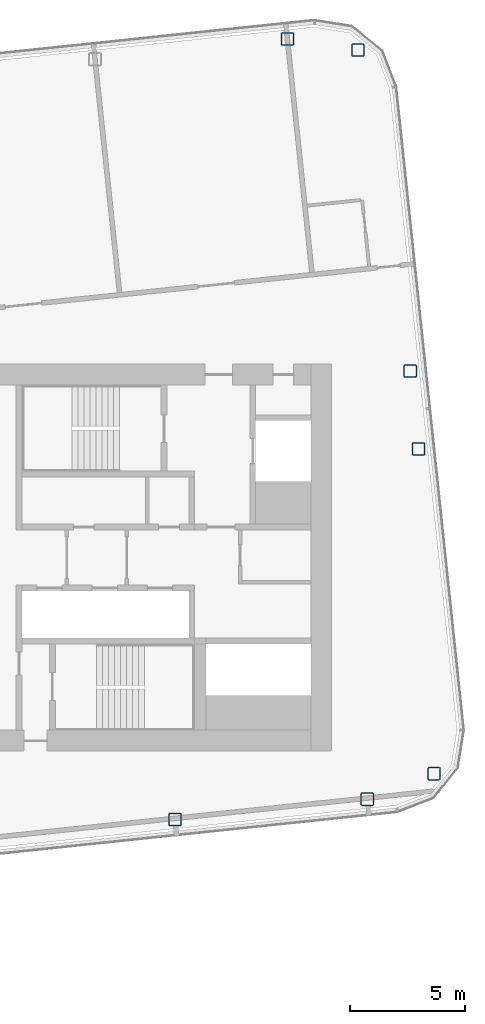
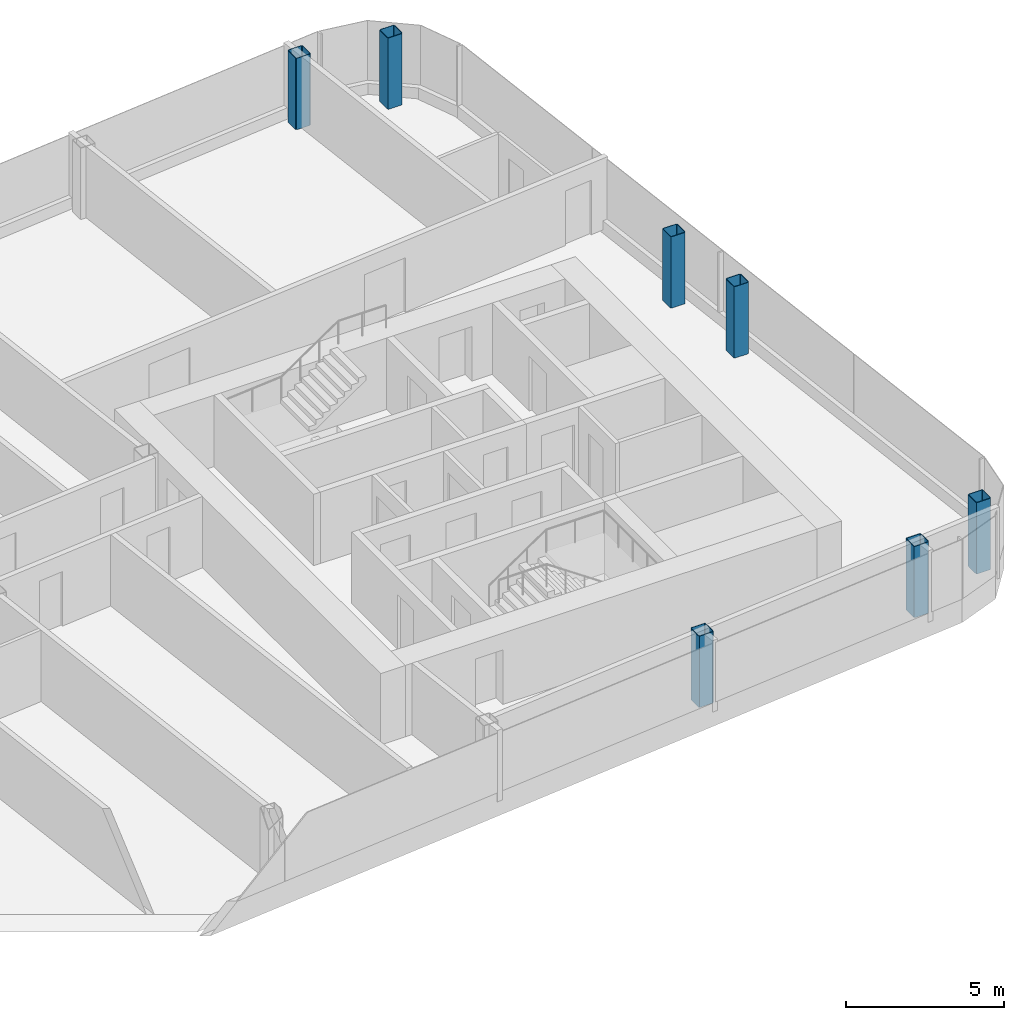
# One storey, part 2 of 27: 7 columns.
"""IFC4 building model written with IfcOpenShell, lengths in metres."""

import ifcopenshell
import ifcopenshell.guid

model = None  # the IFC model being written
_history = None  # IfcOwnerHistory: only IFC2X3 demands one
_inside = {}  # id of a spatial element -> (the spatial element, [elements in it])
_under = {}  # id of a project, library or spatial element -> (it, [spatial elements below it])
_declared = {}  # id of a project -> (the project, [libraries it declares])
_typed = {}  # id of a type object -> (the type object, [elements of that type])
_made_of = {}  # id of a material, layer set ... -> (it, [elements and type objects made of it])


def new_model(schema):
    """Start an empty IFC model of exactly this schema.

    Asked for "IFC4X3", IfcOpenShell would pick the latest addendum, in which some entities
    have other attributes; the version numbers below select the first issue.
    IFC2X3 requires an IfcOwnerHistory on every rooted entity: one is made here for all.
    """
    global model, _history
    if schema == "IFC4X3":
        model = ifcopenshell.file(schema_version=(4, 3, 0, 0))
    else:
        model = ifcopenshell.file(schema=schema)
    _inside.clear()
    _under.clear()
    _declared.clear()
    _typed.clear()
    _made_of.clear()
    _history = None
    if model.schema == "IFC2X3":
        org = make("IfcOrganization", Name="unknown")
        user = make(
            "IfcPersonAndOrganization",
            ThePerson=make("IfcPerson", FamilyName="unknown"),
            TheOrganization=org,
        )
        app = make(
            "IfcApplication",
            ApplicationDeveloper=org,
            Version="unknown",
            ApplicationFullName="unknown",
            ApplicationIdentifier="unknown",
        )
        _history = make(
            "IfcOwnerHistory",
            OwningUser=user,
            OwningApplication=app,
            ChangeAction="ADDED",
            CreationDate=0,
        )
    return model


def make(cls, **values):
    """One entity of the class cls with the attributes given. An attribute that is None is left unset."""
    return model.create_entity(
        cls, **{name: value for name, value in values.items() if value is not None}
    )


def rooted(cls, **values):
    """An entity with a GlobalId (a new one), such as an element, a storey or a relation."""
    return make(cls, GlobalId=ifcopenshell.guid.new(), OwnerHistory=_history, **values)


def si_unit(unit_type, name, prefix=None):
    """IfcSIUnit, for example si_unit("LENGTHUNIT", "METRE", prefix="MILLI")."""
    return make("IfcSIUnit", UnitType=unit_type, Prefix=prefix, Name=name)


def assignment(units):
    """IfcUnitAssignment: the units of a project."""
    return None if units is None else make("IfcUnitAssignment", Units=units)


def point(xyz):
    """IfcCartesianPoint."""
    return None if xyz is None else make("IfcCartesianPoint", Coordinates=xyz)


def direction(xyz):
    """IfcDirection."""
    return None if xyz is None else make("IfcDirection", DirectionRatios=xyz)


def frame(location, z_axis=None, x_axis=None):
    """IfcAxis2Placement3D, a coordinate frame: its origin and axes. An axis left out is left unset."""
    return make(
        "IfcAxis2Placement3D",
        Location=point(location),
        Axis=direction(z_axis),
        RefDirection=direction(x_axis),
    )


def frame_2d(location, x_axis=None):
    """IfcAxis2Placement2D, a coordinate frame in the plane: its origin and x axis."""
    return make(
        "IfcAxis2Placement2D", Location=point(location), RefDirection=direction(x_axis)
    )


def origin():
    """The frame at (0, 0, 0) with its axes left unset."""
    return frame((0.0, 0.0, 0.0))


def origin_2d():
    """The frame at (0, 0) in the plane with its x axis left unset."""
    return frame_2d((0.0, 0.0))


def place(relative_to, where):
    """IfcLocalPlacement: puts the frame where relative to a parent placement (None: the world)."""
    return make(
        "IfcLocalPlacement", PlacementRelTo=relative_to, RelativePlacement=where
    )


def context(
    kind, dimensions, precision=None, world=None, true_north=None, identifier=None
):
    """IfcGeometricRepresentationContext, for example the 3D "Model" context."""
    return make(
        "IfcGeometricRepresentationContext",
        ContextIdentifier=identifier,
        ContextType=kind,
        CoordinateSpaceDimension=dimensions,
        Precision=precision,
        WorldCoordinateSystem=world,
        TrueNorth=true_north,
    )


def subcontext(parent, identifier, kind, view, scale=None):
    """IfcGeometricRepresentationSubContext, for example "Body" below "Model"."""
    return make(
        "IfcGeometricRepresentationSubContext",
        ContextIdentifier=identifier,
        ContextType=kind,
        ParentContext=parent,
        TargetScale=scale,
        TargetView=view,
    )


def project(units=None, contexts=None):
    """IfcProject with its units and contexts."""
    return rooted(
        "IfcProject",
        Name="project",
        RepresentationContexts=contexts,
        UnitsInContext=assignment(units),
    )


def spatial(cls, under=None, at=None, **own):
    """A site, building, storey or space (cls), placed at a placement, below another one or the project."""
    s = rooted(cls, ObjectPlacement=at, **own)
    if under is not None:
        _under.setdefault(under.id(), (under, []))[1].append(s)
    return s


def profile(cls, at=None, kind="AREA", **sizes):
    """A parametric profile (cls). Its sizes go by their IFC names, for example OverallWidth=200.0."""
    return make(cls, ProfileType=kind, Position=at, **sizes)


def hollow_rectangle(**sizes):
    """IfcRectangleHollowProfileDef."""
    return profile("IfcRectangleHollowProfileDef", **sizes)


def extrude(swept, where, along, depth):
    """IfcExtrudedAreaSolid: the profile swept, set in the frame where, extruded along a direction by depth."""
    return make(
        "IfcExtrudedAreaSolid",
        SweptArea=swept,
        Position=where,
        ExtrudedDirection=direction(along),
        Depth=depth,
    )


def shape(context_of_items, identifier, shape_type, items):
    """IfcShapeRepresentation: the items that make up one representation, for example the "Body"."""
    return make(
        "IfcShapeRepresentation",
        ContextOfItems=context_of_items,
        RepresentationIdentifier=identifier,
        RepresentationType=shape_type,
        Items=items,
    )


def material(Name=None, Category=None):
    """IfcMaterial."""
    return make("IfcMaterial", Name=Name, Category=Category)


def material_profile(
    of_material, cross_section, Name=None, Category=None, Priority=None
):
    """IfcMaterialProfile: a cross section and its material."""
    return make(
        "IfcMaterialProfile",
        Name=Name,
        Material=of_material,
        Profile=cross_section,
        Priority=Priority,
        Category=Category,
    )


def profile_set(profiles, Name=None, composite=None):
    """IfcMaterialProfileSet."""
    return make(
        "IfcMaterialProfileSet",
        Name=Name,
        MaterialProfiles=profiles,
        CompositeProfile=composite,
    )


def made_of(thing, what):
    """Note that an element or type object is made of a material, layer set ...; save() writes the relation."""
    if what is not None:
        _made_of.setdefault(what.id(), (what, []))[1].append(thing)
    return thing


def type_object(cls, material=None, **own):
    """A type object (cls), such as IfcWallType, which elements share."""
    return made_of(rooted(cls, **own), material)


def element(
    cls,
    number,
    at=None,
    inside=None,
    cuts=None,
    type_object=None,
    material=None,
    context=None,
    identifier="Body",
    shape_type=None,
    held_by="IfcProductDefinitionShape",
    body=None,
    shapes=None,
    **own,
):
    """One element of the class cls, such as IfcWall. Its Tag is "e" and its number.

    at: its placement. inside: the storey or other place that contains it. cuts: it is an
    opening in that element (IfcRelVoidsElement). A single representation is given by context,
    identifier, shape_type and body (its items); several are given by shapes. held_by: the class
    of the entity that holds the representations. save() writes the other relations.
    """
    e = rooted(cls, Tag="e%d" % number, ObjectPlacement=at, **own)
    if body is not None:
        shapes = [shape(context, identifier, shape_type, body)]
    if shapes is not None:
        e.Representation = make(held_by, Representations=shapes)
    if inside is not None:
        _inside.setdefault(inside.id(), (inside, []))[1].append(e)
    if cuts is not None:
        rooted(
            "IfcRelVoidsElement", RelatingBuildingElement=cuts, RelatedOpeningElement=e
        )
    if type_object is not None:
        _typed.setdefault(type_object.id(), (type_object, []))[1].append(e)
    return made_of(e, material)


def aggregate(whole, parts):
    """IfcRelAggregates: a whole, such as a stair, and the parts it consists of."""
    return rooted("IfcRelAggregates", RelatingObject=whole, RelatedObjects=parts)


def save(model, path):
    """Write the relations noted so far, then the file.

    IfcRelAggregates (storeys below a building ...), IfcRelContainedInSpatialStructure (elements
    in a storey), IfcRelDefinesByType, IfcRelAssociatesMaterial and IfcRelDeclares: one each for
    every whole, place, type object, material and project.
    """
    for whole, parts in _under.values():
        aggregate(whole, parts)
    for where, things in _inside.values():
        rooted(
            "IfcRelContainedInSpatialStructure",
            RelatedElements=things,
            RelatingStructure=where,
        )
    for kind, things in _typed.values():
        rooted("IfcRelDefinesByType", RelatedObjects=things, RelatingType=kind)
    for what, things in _made_of.values():
        rooted("IfcRelAssociatesMaterial", RelatedObjects=things, RelatingMaterial=what)
    for by, libraries in _declared.values():
        rooted("IfcRelDeclares", RelatingContext=by, RelatedDefinitions=libraries)
    model.write(path)


model = new_model("IFC4")

# Units and contexts
model_context = context("Model", 3, precision=1e-05, world=origin(), true_north=direction((0.0, 1.0)))
body_context = subcontext(model_context, "Body", "Model", "MODEL_VIEW")
ifc_project = project(units=[si_unit("LENGTHUNIT", "METRE"), si_unit("AREAUNIT", "SQUARE_METRE"), si_unit("VOLUMEUNIT", "CUBIC_METRE"), si_unit("PLANEANGLEUNIT", "RADIAN"), si_unit("MASSUNIT", "GRAM", prefix="KILO")], contexts=[model_context])

# Site, building, storey
site_placement = place(None, origin())
site = spatial("IfcSite", under=ifc_project, at=site_placement, CompositionType="ELEMENT")
building_placement = place(site_placement, origin())
building = spatial("IfcBuilding", under=site, at=building_placement, Name="Hakoniwa Tower and Hamabe Station Hall", CompositionType="ELEMENT")
storey_placement = place(building_placement, frame((0.0, 0.0, 261.39990234375)))
storey = spatial("IfcBuildingStorey", under=building, at=storey_placement, Name="L74", CompositionType="ELEMENT", Elevation=261.39990234375)

# Columns
ifc_material = material(Name="Steel BCP325", Category="steel")
ifc_material_profile = material_profile(ifc_material, hollow_rectangle(XDim=0.550048828125, YDim=0.550048828125, WallThickness=0.02197265625, InnerFilletRadius=0.032958984375, OuterFilletRadius=0.054931640625, at=origin_2d()), Name="BCP-550x550x22")
ifc_profile_set = profile_set([ifc_material_profile], Name="Steel BCP325")
column_type = type_object("IfcColumnType", Name="COLUMN BCP-550x550x22", PredefinedType="COLUMN", material=ifc_profile_set)
for number, where, z_axis, x_axis, name in (
    (1, (26.797119140625, -11.375, 0.0), (0.0, 0.0, 1.0), (1.0, 0.0, 0.0), "Column B5-10-A5"),
    (2, (35.151123046875, -10.496826171875, 0.0), (0.0, 0.0, 1.0), (1.0, 0.0, 0.0), "Column B5-11-A5"),
    (3, (31.680908203125, 22.521240234375, 0.0), (0.0, 0.0, 1.0), (1.0, 0.0, 0.0), "Column B5-11-F5"),
    (4, (38.054443359375, -9.390380859375, 0.0), (0.0, 0.0, 1.0), (1.0, 0.0, 0.0), "Column B5-EE-A5"),
    (5, (37.372802734375, 4.71875, 0.0), (0.0, 0.0, 1.0), (1.0, 0.0, 0.0), "Column B5-EE-C5"),
    (6, (37.017333984375, 8.10009765625, 0.0), (0.0, 0.0, 1.0), (1.0, 0.0, 0.0), "Column B5-EE-D5"),
    (7, (34.750732421875, 22.04248046875, 0.0), (0.0, 0.0, 1.0), (1.0, 0.0, 0.0), "Column B5-EE-F5"),
):
    element("IfcColumn", number, at=place(storey_placement, frame(where, z_axis=z_axis, x_axis=x_axis)), inside=storey, type_object=column_type, Name=name, PredefinedType="COLUMN", context=body_context, shape_type="SweptSolid", body=[
        extrude(hollow_rectangle(XDim=0.550048828125, YDim=0.550048828125, WallThickness=0.02197265625, InnerFilletRadius=0.032958984375, OuterFilletRadius=0.054931640625, at=origin_2d()), origin(), (0.0, 0.0, 1.0), 2.75),
    ])

save(model, "model.ifc")
